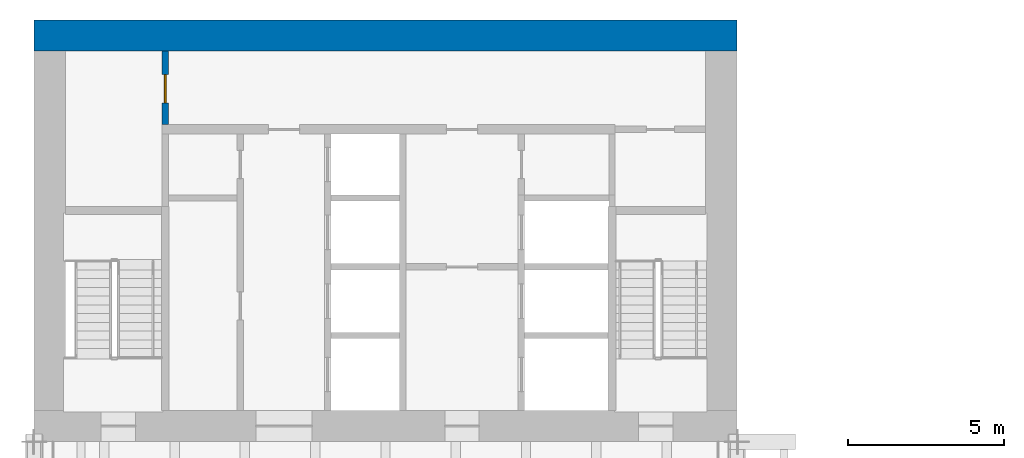
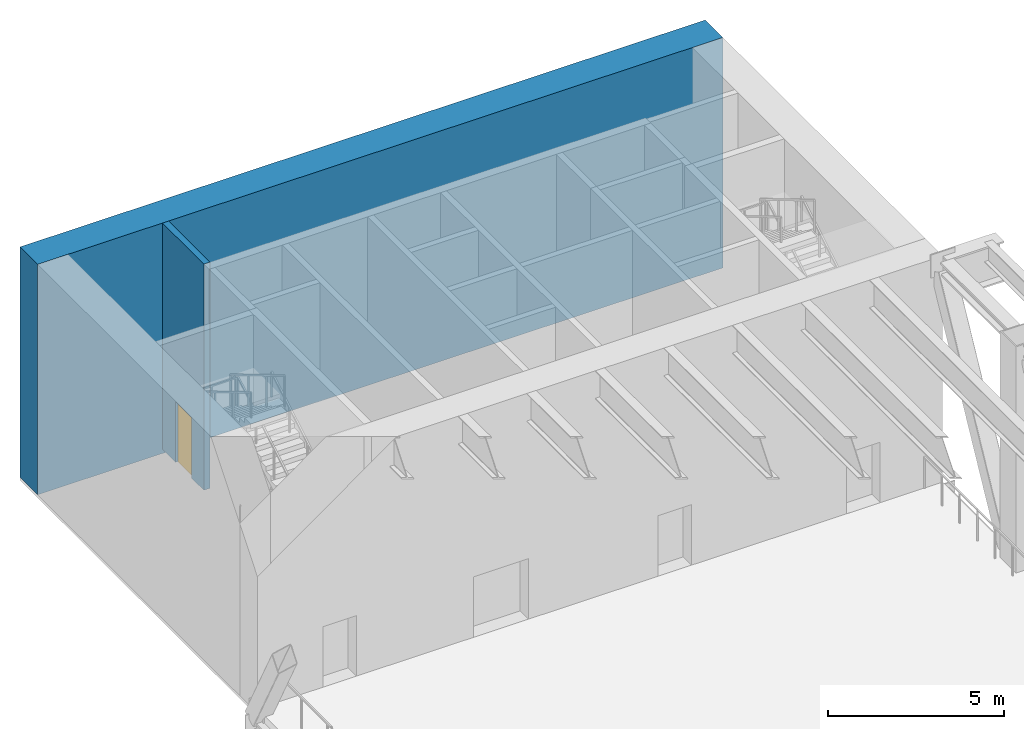
# One storey, part 10 of 16: 2 walls, 1 door, 1 opening.
"""IFC4 building model written with IfcOpenShell, lengths in metres."""

import ifcopenshell
import ifcopenshell.guid

model = None  # the IFC model being written
_history = None  # IfcOwnerHistory: only IFC2X3 demands one
_inside = {}  # id of a spatial element -> (the spatial element, [elements in it])
_under = {}  # id of a project, library or spatial element -> (it, [spatial elements below it])
_declared = {}  # id of a project -> (the project, [libraries it declares])
_typed = {}  # id of a type object -> (the type object, [elements of that type])
_made_of = {}  # id of a material, layer set ... -> (it, [elements and type objects made of it])


def new_model(schema):
    """Start an empty IFC model of exactly this schema.

    Asked for "IFC4X3", IfcOpenShell would pick the latest addendum, in which some entities
    have other attributes; the version numbers below select the first issue.
    IFC2X3 requires an IfcOwnerHistory on every rooted entity: one is made here for all.
    """
    global model, _history
    if schema == "IFC4X3":
        model = ifcopenshell.file(schema_version=(4, 3, 0, 0))
    else:
        model = ifcopenshell.file(schema=schema)
    _inside.clear()
    _under.clear()
    _declared.clear()
    _typed.clear()
    _made_of.clear()
    _history = None
    if model.schema == "IFC2X3":
        org = make("IfcOrganization", Name="unknown")
        user = make(
            "IfcPersonAndOrganization",
            ThePerson=make("IfcPerson", FamilyName="unknown"),
            TheOrganization=org,
        )
        app = make(
            "IfcApplication",
            ApplicationDeveloper=org,
            Version="unknown",
            ApplicationFullName="unknown",
            ApplicationIdentifier="unknown",
        )
        _history = make(
            "IfcOwnerHistory",
            OwningUser=user,
            OwningApplication=app,
            ChangeAction="ADDED",
            CreationDate=0,
        )
    return model


def make(cls, **values):
    """One entity of the class cls with the attributes given. An attribute that is None is left unset."""
    return model.create_entity(
        cls, **{name: value for name, value in values.items() if value is not None}
    )


def rooted(cls, **values):
    """An entity with a GlobalId (a new one), such as an element, a storey or a relation."""
    return make(cls, GlobalId=ifcopenshell.guid.new(), OwnerHistory=_history, **values)


def si_unit(unit_type, name, prefix=None):
    """IfcSIUnit, for example si_unit("LENGTHUNIT", "METRE", prefix="MILLI")."""
    return make("IfcSIUnit", UnitType=unit_type, Prefix=prefix, Name=name)


def assignment(units):
    """IfcUnitAssignment: the units of a project."""
    return None if units is None else make("IfcUnitAssignment", Units=units)


def point(xyz):
    """IfcCartesianPoint."""
    return None if xyz is None else make("IfcCartesianPoint", Coordinates=xyz)


def direction(xyz):
    """IfcDirection."""
    return None if xyz is None else make("IfcDirection", DirectionRatios=xyz)


def frame(location, z_axis=None, x_axis=None):
    """IfcAxis2Placement3D, a coordinate frame: its origin and axes. An axis left out is left unset."""
    return make(
        "IfcAxis2Placement3D",
        Location=point(location),
        Axis=direction(z_axis),
        RefDirection=direction(x_axis),
    )


def frame_2d(location, x_axis=None):
    """IfcAxis2Placement2D, a coordinate frame in the plane: its origin and x axis."""
    return make(
        "IfcAxis2Placement2D", Location=point(location), RefDirection=direction(x_axis)
    )


def origin():
    """The frame at (0, 0, 0) with its axes left unset."""
    return frame((0.0, 0.0, 0.0))


def place(relative_to, where):
    """IfcLocalPlacement: puts the frame where relative to a parent placement (None: the world)."""
    return make(
        "IfcLocalPlacement", PlacementRelTo=relative_to, RelativePlacement=where
    )


def context(
    kind, dimensions, precision=None, world=None, true_north=None, identifier=None
):
    """IfcGeometricRepresentationContext, for example the 3D "Model" context."""
    return make(
        "IfcGeometricRepresentationContext",
        ContextIdentifier=identifier,
        ContextType=kind,
        CoordinateSpaceDimension=dimensions,
        Precision=precision,
        WorldCoordinateSystem=world,
        TrueNorth=true_north,
    )


def subcontext(parent, identifier, kind, view, scale=None):
    """IfcGeometricRepresentationSubContext, for example "Body" below "Model"."""
    return make(
        "IfcGeometricRepresentationSubContext",
        ContextIdentifier=identifier,
        ContextType=kind,
        ParentContext=parent,
        TargetScale=scale,
        TargetView=view,
    )


def project(units=None, contexts=None):
    """IfcProject with its units and contexts."""
    return rooted(
        "IfcProject",
        Name="project",
        RepresentationContexts=contexts,
        UnitsInContext=assignment(units),
    )


def spatial(cls, under=None, at=None, **own):
    """A site, building, storey or space (cls), placed at a placement, below another one or the project."""
    s = rooted(cls, ObjectPlacement=at, **own)
    if under is not None:
        _under.setdefault(under.id(), (under, []))[1].append(s)
    return s


def profile(cls, at=None, kind="AREA", **sizes):
    """A parametric profile (cls). Its sizes go by their IFC names, for example OverallWidth=200.0."""
    return make(cls, ProfileType=kind, Position=at, **sizes)


def rectangle(**sizes):
    """IfcRectangleProfileDef."""
    return profile("IfcRectangleProfileDef", **sizes)


def extrude(swept, where, along, depth):
    """IfcExtrudedAreaSolid: the profile swept, set in the frame where, extruded along a direction by depth."""
    return make(
        "IfcExtrudedAreaSolid",
        SweptArea=swept,
        Position=where,
        ExtrudedDirection=direction(along),
        Depth=depth,
    )


def shape(context_of_items, identifier, shape_type, items):
    """IfcShapeRepresentation: the items that make up one representation, for example the "Body"."""
    return make(
        "IfcShapeRepresentation",
        ContextOfItems=context_of_items,
        RepresentationIdentifier=identifier,
        RepresentationType=shape_type,
        Items=items,
    )


def material(Name=None, Category=None):
    """IfcMaterial."""
    return make("IfcMaterial", Name=Name, Category=Category)


def layer(
    of_material, thickness, ventilated=None, Name=None, Category=None, Priority=None
):
    """IfcMaterialLayer: one layer of a wall or slab, of a material (None: an air gap)."""
    return make(
        "IfcMaterialLayer",
        Material=of_material,
        LayerThickness=thickness,
        IsVentilated=ventilated,
        Name=Name,
        Category=Category,
        Priority=Priority,
    )


def layer_set(layers, Name=None):
    """IfcMaterialLayerSet."""
    return make("IfcMaterialLayerSet", MaterialLayers=layers, LayerSetName=Name)


def made_of(thing, what):
    """Note that an element or type object is made of a material, layer set ...; save() writes the relation."""
    if what is not None:
        _made_of.setdefault(what.id(), (what, []))[1].append(thing)
    return thing


def type_object(cls, material=None, **own):
    """A type object (cls), such as IfcWallType, which elements share."""
    return made_of(rooted(cls, **own), material)


def element(
    cls,
    number,
    at=None,
    inside=None,
    cuts=None,
    type_object=None,
    material=None,
    context=None,
    identifier="Body",
    shape_type=None,
    held_by="IfcProductDefinitionShape",
    body=None,
    shapes=None,
    **own,
):
    """One element of the class cls, such as IfcWall. Its Tag is "e" and its number.

    at: its placement. inside: the storey or other place that contains it. cuts: it is an
    opening in that element (IfcRelVoidsElement). A single representation is given by context,
    identifier, shape_type and body (its items); several are given by shapes. held_by: the class
    of the entity that holds the representations. save() writes the other relations.
    """
    e = rooted(cls, Tag="e%d" % number, ObjectPlacement=at, **own)
    if body is not None:
        shapes = [shape(context, identifier, shape_type, body)]
    if shapes is not None:
        e.Representation = make(held_by, Representations=shapes)
    if inside is not None:
        _inside.setdefault(inside.id(), (inside, []))[1].append(e)
    if cuts is not None:
        rooted(
            "IfcRelVoidsElement", RelatingBuildingElement=cuts, RelatedOpeningElement=e
        )
    if type_object is not None:
        _typed.setdefault(type_object.id(), (type_object, []))[1].append(e)
    return made_of(e, material)


def fill(opening, filler):
    """IfcRelFillsElement: the door or window that sits in an opening."""
    return rooted(
        "IfcRelFillsElement",
        RelatingOpeningElement=opening,
        RelatedBuildingElement=filler,
    )


def aggregate(whole, parts):
    """IfcRelAggregates: a whole, such as a stair, and the parts it consists of."""
    return rooted("IfcRelAggregates", RelatingObject=whole, RelatedObjects=parts)


def save(model, path):
    """Write the relations noted so far, then the file.

    IfcRelAggregates (storeys below a building ...), IfcRelContainedInSpatialStructure (elements
    in a storey), IfcRelDefinesByType, IfcRelAssociatesMaterial and IfcRelDeclares: one each for
    every whole, place, type object, material and project.
    """
    for whole, parts in _under.values():
        aggregate(whole, parts)
    for where, things in _inside.values():
        rooted(
            "IfcRelContainedInSpatialStructure",
            RelatedElements=things,
            RelatingStructure=where,
        )
    for kind, things in _typed.values():
        rooted("IfcRelDefinesByType", RelatedObjects=things, RelatingType=kind)
    for what, things in _made_of.values():
        rooted("IfcRelAssociatesMaterial", RelatedObjects=things, RelatingMaterial=what)
    for by, libraries in _declared.values():
        rooted("IfcRelDeclares", RelatingContext=by, RelatedDefinitions=libraries)
    model.write(path)


model = new_model("IFC4")

# Units and contexts
model_context = context("Model", 3, precision=1e-05, world=origin(), true_north=direction((0.0, 1.0)))
body_context = subcontext(model_context, "Body", "Model", "MODEL_VIEW")
ifc_project = project(units=[si_unit("LENGTHUNIT", "METRE"), si_unit("AREAUNIT", "SQUARE_METRE"), si_unit("VOLUMEUNIT", "CUBIC_METRE"), si_unit("PLANEANGLEUNIT", "RADIAN"), si_unit("MASSUNIT", "GRAM", prefix="KILO")], contexts=[model_context])

# Site, building, storey
site_placement = place(None, origin())
site = spatial("IfcSite", under=ifc_project, at=site_placement, CompositionType="ELEMENT")
building_placement = place(site_placement, origin())
building = spatial("IfcBuilding", under=site, at=building_placement, Name="Sennacour Bend Tower", CompositionType="ELEMENT")
storey_placement = place(building_placement, frame((0.0, 0.0, 187.0)))
storey = spatial("IfcBuildingStorey", under=building, at=storey_placement, Name="L43", CompositionType="ELEMENT", Elevation=187.0)

# Wall
ifc_material_1 = material(Name="Concrete C60/75", Category="concrete")
ifc_layer_1 = layer(ifc_material_1, 1.0, Name="Concrete C60/75", Category="concrete")
ifc_layer_set_1 = layer_set([ifc_layer_1], Name="Concrete C60/75")
wall_type_1 = type_object("IfcWallType", Name="Core wall 1000 C60/75", PredefinedType="SHEAR", material=ifc_layer_set_1)
wall_1_placement = place(storey_placement, frame((0.0, 49.0, -0.14990234375), z_axis=(0.0, 0.0, 1.0), x_axis=(1.0, 0.0, 0.0)))
element("IfcWall", 1, at=wall_1_placement, inside=storey, type_object=wall_type_1, Name="Core B wall L43 N", PredefinedType="SHEAR", context=body_context, shape_type="SweptSolid", body=[
    extrude(rectangle(XDim=22.5, YDim=1.0, at=frame_2d((11.25, 0.0))), origin(), (0.0, 0.0, 1.0), 8.0),
])

# Wall, opening, door
ifc_material_2 = material(Name="Fire-rated plasterboard partition on steel studs", Category="steel")
ifc_layer_2 = layer(ifc_material_2, 0.199951171875, Name="Fire-rated plasterboard partition on steel studs", Category="steel")
ifc_layer_set_2 = layer_set([ifc_layer_2], Name="Fire-rated plasterboard partition on steel studs")
wall_type_2 = type_object("IfcWallType", Name="Rated partition 200", PredefinedType="PARTITIONING", material=ifc_layer_set_2)
wall_2_placement = place(storey_placement, frame((4.199951171875, 46.14990234375, 0.0), z_axis=(0.0, 0.0, 1.0), x_axis=(0.0, 1.0, 0.0)))
wall_2 = element("IfcWall", 2, at=wall_2_placement, inside=storey, type_object=wall_type_2, Name="P-L43-W004b", PredefinedType="PARTITIONING", context=body_context, shape_type="SweptSolid", body=[
    extrude(rectangle(XDim=2.35009765625, YDim=0.199951171875, at=frame_2d((1.175048828125, 0.0))), origin(), (0.0, 0.0, 1.0), 7.85009765625),
])
opening_placement = place(wall_2_placement, frame((0.7001953125, 0.0, 0.0)))
opening = element("IfcOpeningElement", 3, at=opening_placement, cuts=wall_2, Name="Opening SV", PredefinedType="OPENING", context=body_context, shape_type="SweptSolid", body=[
    extrude(rectangle(XDim=0.89990234375, YDim=2.10009765625, at=frame_2d((0.449951171875, 1.050048828125))), frame((0.0, 0.10986328125, 0.0), z_axis=(0.0, -1.0, 0.0), x_axis=(1.0, 0.0, 0.0)), (0.0, 0.0, 1.0), 0.219970703125),
])
ifc_material_3 = material(Name="Painted steel", Category="steel")
door_type = type_object("IfcDoorType", Name="DR-SERVICE-900", OperationType="NOTDEFINED", PredefinedType="DOOR", material=ifc_material_3)
door_placement = place(opening_placement, origin())
door = element("IfcDoor", 4, at=door_placement, inside=storey, type_object=door_type, Name="Door", OperationType="SINGLE_SWING_LEFT", OverallHeight=2.10009765625, OverallWidth=0.89990234375, PredefinedType="DOOR", context=body_context, shape_type="SweptSolid", body=[
    extrude(rectangle(XDim=0.89990234375, YDim=2.10009765625, at=frame_2d((0.449951171875, 1.050048828125))), frame((0.0, 0.02490234375, 0.0), z_axis=(0.0, -1.0, 0.0), x_axis=(1.0, 0.0, 0.0)), (0.0, 0.0, 1.0), 0.050048828125),
])
fill(opening, door)

save(model, "model.ifc")
